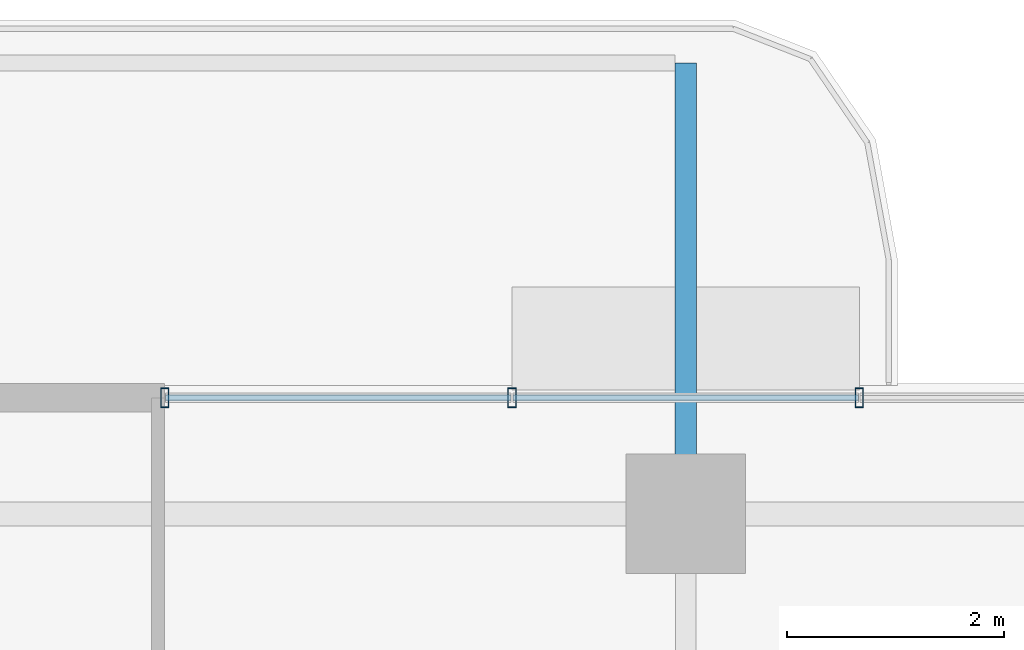
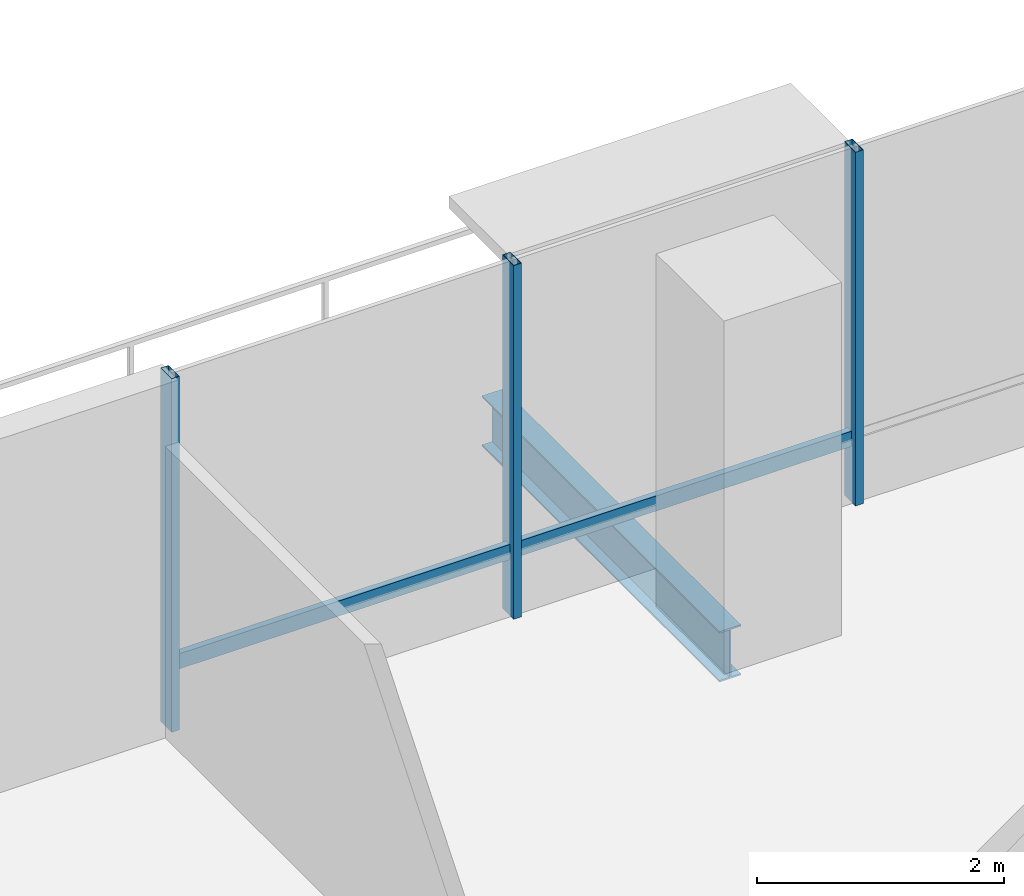
# One storey, part 11 of 24: 5 members, 1 beam, 1 element without a shape of its own.
"""IFC4 building model written with IfcOpenShell, lengths in metres."""

from ifc_helpers import new_model, si_unit, direction, frame, origin, origin_2d, place, context, subcontext, project, spatial, hollow_rectangle, i_section, extrude, material, layer, layer_set, material_profile, profile_set, type_object, element, aggregate, save


model = new_model("IFC4")

# Units and contexts
model_context = context("Model", 3, precision=1e-05, world=origin(), true_north=direction((0.0, 1.0)))
body_context = subcontext(model_context, "Body", "Model", "MODEL_VIEW")
ifc_project = project(units=[si_unit("LENGTHUNIT", "METRE"), si_unit("AREAUNIT", "SQUARE_METRE"), si_unit("VOLUMEUNIT", "CUBIC_METRE"), si_unit("PLANEANGLEUNIT", "RADIAN"), si_unit("MASSUNIT", "GRAM", prefix="KILO")], contexts=[model_context])

# Site, building, storey
site_placement = place(None, origin())
site = spatial("IfcSite", under=ifc_project, at=site_placement, CompositionType="ELEMENT")
building_placement = place(site_placement, origin())
building = spatial("IfcBuilding", under=site, at=building_placement, Name="Belovzor Exchange Tower", CompositionType="ELEMENT")
storey_placement = place(building_placement, frame((0.0, 0.0, 222.449951171875)))
storey = spatial("IfcBuildingStorey", under=building, at=storey_placement, Name="L55", CompositionType="ELEMENT", Elevation=222.449951171875)

# Beam
ifc_material_1 = material(Name="Steel S355", Category="steel")
ifc_material_profile_1 = material_profile(ifc_material_1, i_section(OverallWidth=0.199951171875, OverallDepth=0.5, WebThickness=0.01025390625, FlangeThickness=0.01611328125, at=origin_2d()))
ifc_profile_set_1 = profile_set([ifc_material_profile_1], Name="Steel S355")
beam_type = type_object("IfcBeamType", Name="Planted Balcony Cantilever Beam IPE 500", PredefinedType="BEAM", material=ifc_profile_set_1)
beam_placement = place(storey_placement, frame((28.800048828125, 54.903076171875, -0.5), z_axis=(0.0, 1.0, 0.0), x_axis=(-1.0, 0.0, 0.0)))
element("IfcBeam", 1, at=beam_placement, inside=storey, type_object=beam_type, Name="BC-500 Planted Balcony Cantilever Beam IPE 500", PredefinedType="BEAM", context=body_context, shape_type="SweptSolid", body=[
    extrude(i_section(OverallWidth=0.199951171875, OverallDepth=0.5, WebThickness=0.01025390625, FlangeThickness=0.01611328125, at=origin_2d()), origin(), (0.0, 0.0, 1.0), 3.849853515625),
])

# Curtain wall, members
ifc_material_2 = material(Name="Anodised Aluminium Framing", Category="aluminium")
ifc_layer = layer(ifc_material_2, 0.179931640625)
ifc_layer_set = layer_set([ifc_layer], Name="Anodised Aluminium Framing")
curtain_wall_type = type_object("IfcCurtainWallType", Name="Recessed Loggia Low-Iron Triple-Glazed Curtain Wall", PredefinedType="NOTDEFINED", material=ifc_layer_set)
curtain_wall_placement = place(storey_placement, origin())
curtain_wall = element("IfcCurtainWall", 2, at=curtain_wall_placement, inside=storey, type_object=curtain_wall_type, Name="CW3 Recessed Loggia Low-Iron Triple-Glazed Curtain Wall L55", PredefinedType="NOTDEFINED")
ifc_material_3 = material(Name="Steel S355", Category="steel")
ifc_material_profile_2 = material_profile(ifc_material_3, hollow_rectangle(XDim=0.074951171875, YDim=0.179931640625, WallThickness=0.0048828125, at=origin_2d()))
ifc_profile_set_2 = profile_set([ifc_material_profile_2], Name="Steel S355")
member_type_1 = type_object("IfcMemberType", Name="Thermally Broken Curtain Wall Mullion 180x75", PredefinedType="MULLION", material=ifc_profile_set_2)
member_1_placement = place(storey_placement, frame((24.0, 55.669921875, 0.0), z_axis=(0.0, 0.0, 1.0), x_axis=(1.0, 0.0, 0.0)))
member_1 = element("IfcMember", 3, at=member_1_placement, type_object=member_type_1, Name="CW-M180 Curtain Wall Mullion 1", PredefinedType="MULLION", context=body_context, shape_type="SweptSolid", body=[
    extrude(hollow_rectangle(XDim=0.074951171875, YDim=0.179931640625, WallThickness=0.0048828125, at=origin_2d()), origin(), (0.0, 0.0, 1.0), 3.5),
])
member_2_placement = place(storey_placement, frame((27.199951171875, 55.669921875, 0.0), z_axis=(0.0, 0.0, 1.0), x_axis=(1.0, 0.0, 0.0)))
member_2 = element("IfcMember", 4, at=member_2_placement, type_object=member_type_1, Name="CW-M180 Curtain Wall Mullion 2", PredefinedType="MULLION", context=body_context, shape_type="SweptSolid", body=[
    extrude(hollow_rectangle(XDim=0.074951171875, YDim=0.179931640625, WallThickness=0.0048828125, at=origin_2d()), origin(), (0.0, 0.0, 1.0), 3.5),
])
member_3_placement = place(storey_placement, frame((30.39990234375, 55.669921875, 0.0), z_axis=(0.0, 0.0, 1.0), x_axis=(1.0, 0.0, 0.0)))
member_3 = element("IfcMember", 5, at=member_3_placement, type_object=member_type_1, Name="CW-M180 Curtain Wall Mullion 3", PredefinedType="MULLION", context=body_context, shape_type="SweptSolid", body=[
    extrude(hollow_rectangle(XDim=0.074951171875, YDim=0.179931640625, WallThickness=0.0048828125, at=origin_2d()), origin(), (0.0, 0.0, 1.0), 3.5),
])
ifc_material_4 = material(Name="Steel S355", Category="steel")
ifc_material_profile_3 = material_profile(ifc_material_4, hollow_rectangle(XDim=0.06005859375, YDim=0.14990234375, WallThickness=0.00390625, at=origin_2d()))
ifc_profile_set_3 = profile_set([ifc_material_profile_3], Name="Steel S355")
member_type_2 = type_object("IfcMemberType", Name="Thermally Broken Curtain Wall Transom 150x60", PredefinedType="USERDEFINED", material=ifc_profile_set_3)
member_4_placement = place(storey_placement, frame((24.008056640625, 55.669921875, 0.630126953125), z_axis=(1.0, 0.0, 0.0), x_axis=(0.0, 1.0, 0.0)))
member_4 = element("IfcMember", 6, at=member_4_placement, type_object=member_type_2, Name="CW-T150 Curtain Wall Transom 1", ObjectType="TRANSOM", PredefinedType="USERDEFINED", context=body_context, shape_type="SweptSolid", body=[
    extrude(hollow_rectangle(XDim=0.06005859375, YDim=0.14990234375, WallThickness=0.00390625, at=origin_2d()), origin(), (0.0, 0.0, 1.0), 3.183837890625),
])
member_5_placement = place(storey_placement, frame((27.2080078125, 55.669921875, 0.630126953125), z_axis=(1.0, 0.0, 0.0), x_axis=(0.0, 1.0, 0.0)))
member_5 = element("IfcMember", 7, at=member_5_placement, type_object=member_type_2, Name="CW-T150 Curtain Wall Transom 2", ObjectType="TRANSOM", PredefinedType="USERDEFINED", context=body_context, shape_type="SweptSolid", body=[
    extrude(hollow_rectangle(XDim=0.06005859375, YDim=0.14990234375, WallThickness=0.00390625, at=origin_2d()), origin(), (0.0, 0.0, 1.0), 3.18408203125),
])
aggregate(curtain_wall, [member_1, member_2, member_3, member_4, member_5])

save(model, "model.ifc")
